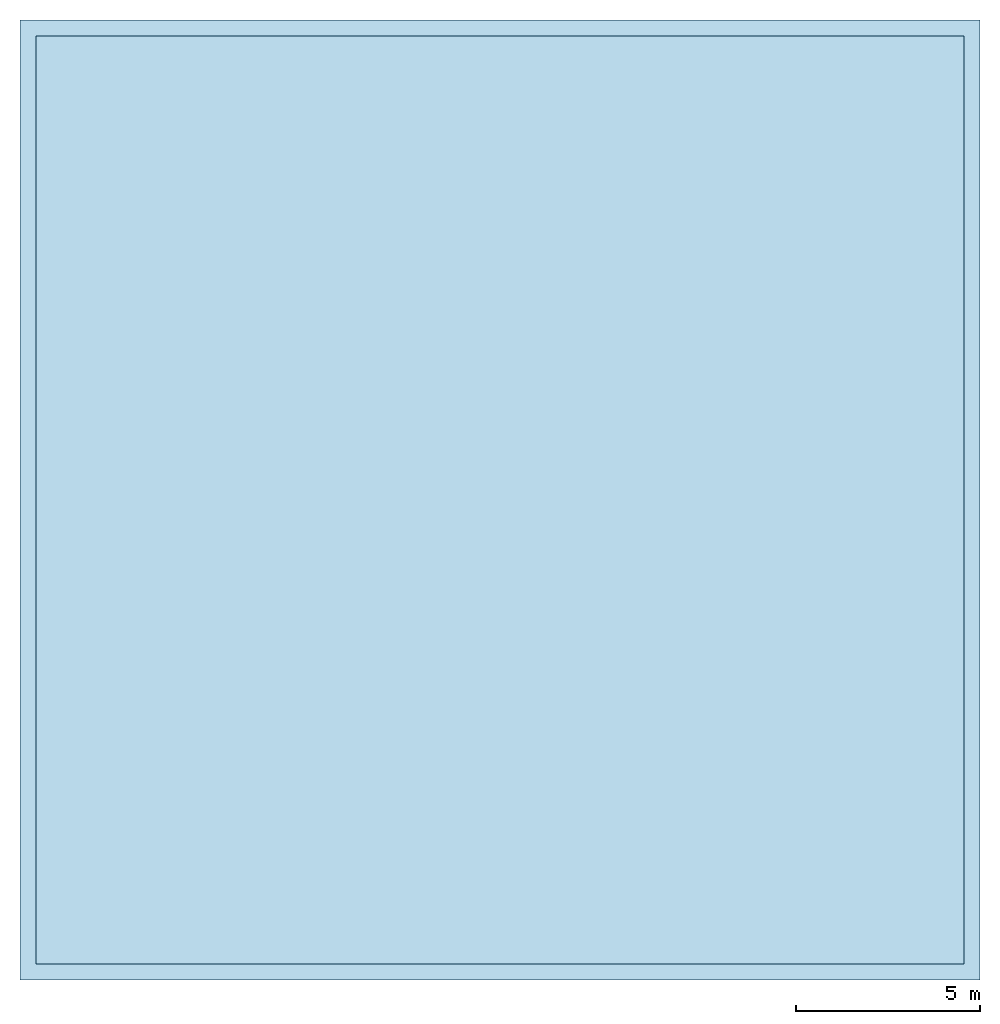
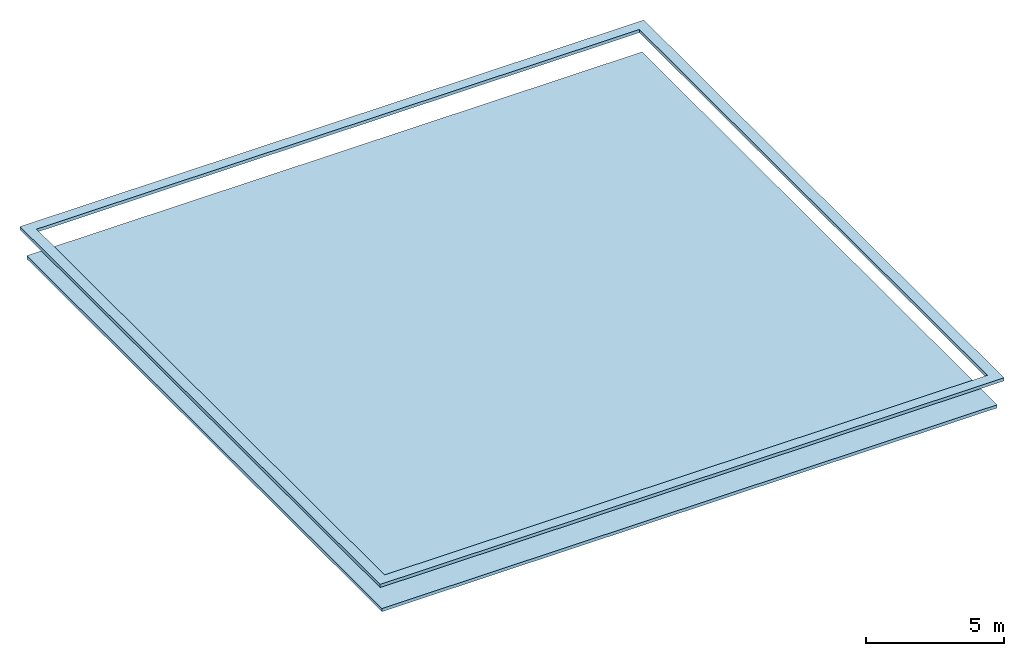
# One storey: 2 slabs.
"""IFC4 building model written with IfcOpenShell, lengths in metres."""

from ifc_helpers import new_model, si_unit, direction, frame, origin, place, context, subcontext, project, spatial, polyline, outline, extrude, material, layer, layer_set, type_object, element, save


model = new_model("IFC4")

# Units and contexts
model_context = context("Model", 3, precision=1e-05, world=origin(), true_north=direction((0.0, 1.0)))
body_context = subcontext(model_context, "Body", "Model", "MODEL_VIEW")
ifc_project = project(units=[si_unit("LENGTHUNIT", "METRE"), si_unit("AREAUNIT", "SQUARE_METRE"), si_unit("VOLUMEUNIT", "CUBIC_METRE"), si_unit("PLANEANGLEUNIT", "RADIAN"), si_unit("MASSUNIT", "GRAM", prefix="KILO")], contexts=[model_context])

# Site, building, storey
site_placement = place(None, origin())
site = spatial("IfcSite", under=ifc_project, at=site_placement, CompositionType="ELEMENT")
building_placement = place(site_placement, origin())
building = spatial("IfcBuilding", under=site, at=building_placement, Name="Tide Square Theatres", CompositionType="ELEMENT")
storey_placement = place(building_placement, frame((0.0, 0.0, 36.5)))
storey = spatial("IfcBuildingStorey", under=building, at=storey_placement, Name="Roof Level", CompositionType="ELEMENT", Elevation=36.5)

# Slabs
ifc_material = material(Name="Concrete C40", Category="concrete")
ifc_layer = layer(ifc_material, 0.139892578125)
ifc_layer_set = layer_set([ifc_layer], Name="Concrete C40")
slab_type = type_object("IfcSlabType", Name="RC roof slab 140", PredefinedType="ROOF", material=ifc_layer_set)
slab_1_placement = place(storey_placement, frame((0.0, 0.0, -0.139892578125)))
element("IfcSlab", 1, at=slab_1_placement, inside=storey, type_object=slab_type, Name="Fly tower roof deck", PredefinedType="ROOF", context=body_context, shape_type="SweptSolid", body=[
    extrude(outline(polyline([(96.8798828125, 56.1201171875), (96.8798828125, 81.8798828125), (71.1201171875, 81.8798828125), (71.1201171875, 56.1201171875), (96.8798828125, 56.1201171875)])), origin(), (0.0, 0.0, 1.0), 0.139892578125),
])
slab_2_placement = place(storey_placement, frame((0.0, 0.0, 1.10009765625)))
element("IfcSlab", 2, at=slab_2_placement, inside=storey, type_object=slab_type, Name="Fly tower parapet coping", PredefinedType="ROOF", context=body_context, shape_type="SweptSolid", body=[
    extrude(outline(polyline([(97.06005859375, 55.93994140625), (97.06005859375, 82.06005859375), (70.93994140625, 82.06005859375), (70.93994140625, 55.93994140625), (97.06005859375, 55.93994140625)]), holes=[polyline([(96.6201171875, 81.6201171875), (71.3798828125, 81.6201171875), (71.3798828125, 56.3798828125), (96.6201171875, 56.3798828125), (96.6201171875, 81.6201171875)])]), origin(), (0.0, 0.0, 1.0), 0.139892578125),
])

save(model, "model.ifc")
